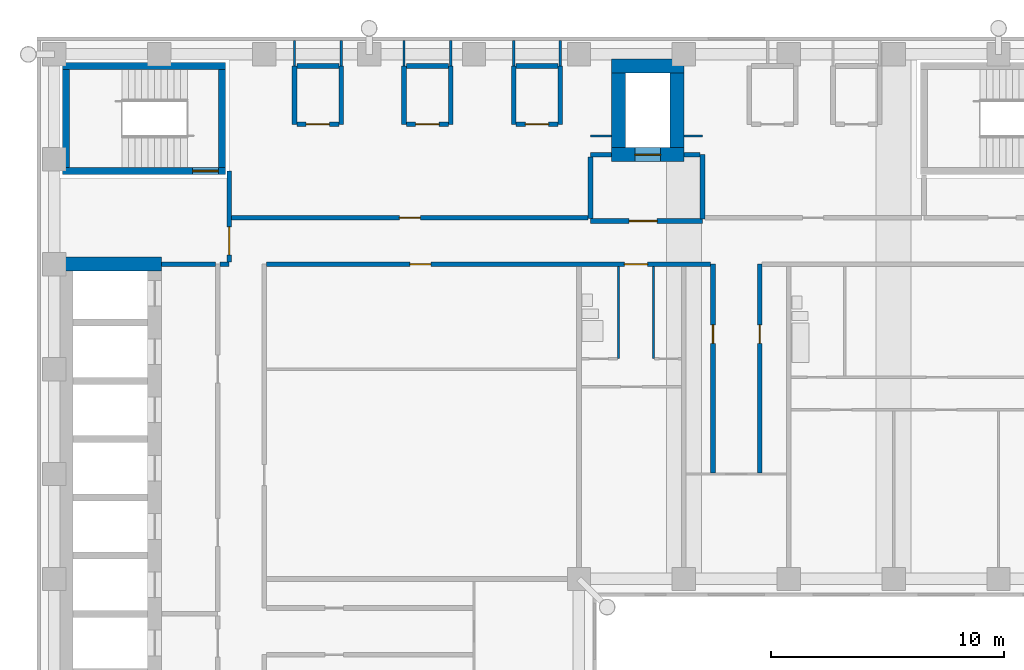
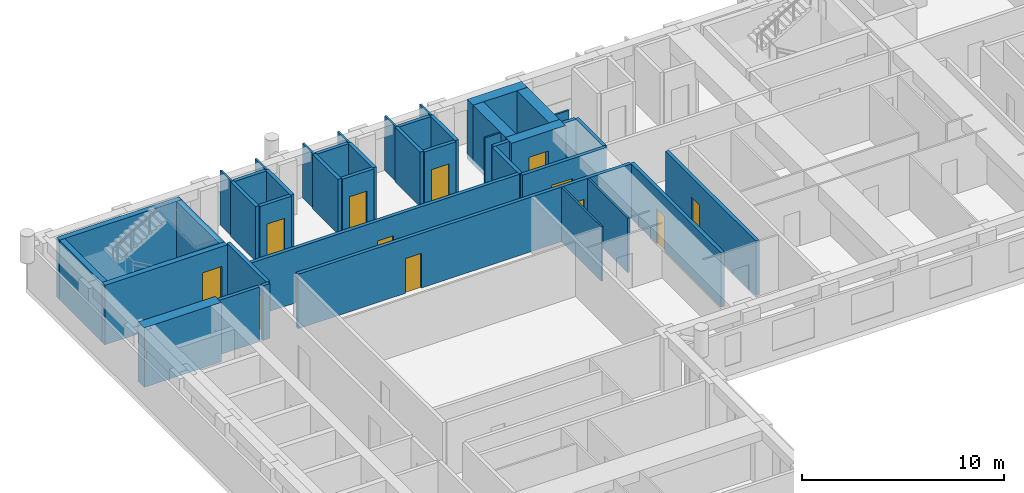
# One storey, part 8 of 15: 43 walls, 12 doors, 12 openings.
"""IFC4 building model written with IfcOpenShell, lengths in metres."""

from ifc_helpers import new_model, si_unit, direction, frame, frame_2d, origin, place, context, subcontext, project, spatial, rectangle, extrude, material, layer, layer_set, type_object, element, fill, save


model = new_model("IFC4")

# Units and contexts
model_context = context("Model", 3, precision=1e-05, world=origin(), true_north=direction((0.0, 1.0)))
body_context = subcontext(model_context, "Body", "Model", "MODEL_VIEW")
ifc_project = project(units=[si_unit("LENGTHUNIT", "METRE"), si_unit("AREAUNIT", "SQUARE_METRE"), si_unit("VOLUMEUNIT", "CUBIC_METRE"), si_unit("PLANEANGLEUNIT", "RADIAN"), si_unit("MASSUNIT", "GRAM", prefix="KILO")], contexts=[model_context])

# Site, building, storey
site_placement = place(None, origin())
site = spatial("IfcSite", under=ifc_project, at=site_placement, CompositionType="ELEMENT")
building_placement = place(site_placement, origin())
building = spatial("IfcBuilding", under=site, at=building_placement, Name="Firuza Court", CompositionType="ELEMENT")
storey_placement = place(building_placement, frame((0.0, 0.0, 137.60009765625)))
storey = spatial("IfcBuildingStorey", under=building, at=storey_placement, Name="L34", CompositionType="ELEMENT", Elevation=137.60009765625)

# Wall
ifc_material_1 = material(Name="Moisture-resistant gypsum board partition")
ifc_layer_1 = layer(ifc_material_1, 0.10009765625)
ifc_layer_set_1 = layer_set([ifc_layer_1], Name="Moisture-resistant gypsum board partition")
wall_type_1 = type_object("IfcWallType", Name="Bathroom partition 100", PredefinedType="PLUMBINGWALL", material=ifc_layer_set_1)
wall_1_placement = place(storey_placement, frame((24.199951171875, 45.449951171875, 0.0), z_axis=(0.0, 0.0, 1.0), x_axis=(0.0, 1.0, 0.0)))
element("IfcWall", 1, at=wall_1_placement, inside=storey, type_object=wall_type_1, Name="Bathroom partition 100 L34", PredefinedType="PLUMBINGWALL", context=body_context, shape_type="SweptSolid", body=[
    extrude(rectangle(XDim=3.949951171875, YDim=0.10009765625, at=frame_2d((1.97509765625, 0.0))), origin(), (0.0, 0.0, 1.0), 3.2998046875),
])

# Wall, opening, door
ifc_material_2 = material(Name="Concrete C60/75", Category="concrete")
ifc_layer_2 = layer(ifc_material_2, 0.300048828125)
ifc_layer_set_2 = layer_set([ifc_layer_2], Name="Concrete C60/75")
wall_type_2 = type_object("IfcWallType", Name="Core wall 300 C60/75", PredefinedType="SHEAR", material=ifc_layer_set_2)
wall_2_placement = place(storey_placement, frame((0.35009765625, 53.5, -0.300048828125), z_axis=(0.0, 0.0, 1.0), x_axis=(1.0, 0.0, 0.0)))
wall_2 = element("IfcWall", 2, at=wall_2_placement, inside=storey, type_object=wall_type_2, Name="Core wall stair L34", PredefinedType="SHEAR", context=body_context, shape_type="SweptSolid", body=[
    extrude(rectangle(XDim=7.0, YDim=0.300048828125, at=frame_2d((3.5, 0.0))), origin(), (0.0, 0.0, 1.0), 3.599853515625),
])
opening_1_placement = place(wall_2_placement, frame((5.580078125, 0.0, 0.300048828125)))
opening_1 = element("IfcOpeningElement", 3, at=opening_1_placement, cuts=wall_2, Name="Opening D34015", PredefinedType="OPENING", context=body_context, shape_type="SweptSolid", body=[
    extrude(rectangle(XDim=1.10009765625, YDim=2.10009765625, at=frame_2d((0.550048828125, 1.050048828125))), frame((0.0, 0.162109375, 0.0), z_axis=(0.0, -1.0, 0.0), x_axis=(1.0, 0.0, 0.0)), (0.0, 0.0, 1.0), 0.323974609375),
])
ifc_material_3 = material(Name="Timber door leaf in hardwood frame", Category="wood")
door_type_1 = type_object("IfcDoorType", Name="Stair door 1100", OperationType="SINGLE_SWING_LEFT", PredefinedType="DOOR", material=ifc_material_3)
door_1_placement = place(opening_1_placement, origin())
door_1 = element("IfcDoor", 4, at=door_1_placement, inside=storey, type_object=door_type_1, Name="Stair door S3", OperationType="SINGLE_SWING_RIGHT", OverallHeight=2.10009765625, OverallWidth=1.10009765625, PredefinedType="DOOR", context=body_context, shape_type="SweptSolid", body=[
    extrude(rectangle(XDim=1.10009765625, YDim=2.10009765625, at=frame_2d((0.550048828125, 1.050048828125))), frame((0.0, 0.02490234375, 0.0), z_axis=(0.0, -1.0, 0.0), x_axis=(1.0, 0.0, 0.0)), (0.0, 0.0, 1.0), 0.050048828125),
])
fill(opening_1, door_1)

# Walls
wall_3_placement = place(storey_placement, frame((0.35009765625, 58.0, -0.300048828125), z_axis=(0.0, 0.0, 1.0), x_axis=(1.0, 0.0, 0.0)))
element("IfcWall", 5, at=wall_3_placement, inside=storey, type_object=wall_type_2, Name="Core wall stair L34", PredefinedType="SHEAR", context=body_context, shape_type="SweptSolid", body=[
    extrude(rectangle(XDim=7.0, YDim=0.300048828125, at=frame_2d((3.5, 0.0))), origin(), (0.0, 0.0, 1.0), 3.599853515625),
])
for number, where, z_axis, x_axis, name in (
    (6, (0.5, 53.64990234375, -0.300048828125), (0.0, 0.0, 1.0), (0.0, 1.0, 0.0), "Core wall stair L34"),
    (7, (7.199951171875, 53.64990234375, -0.300048828125), (0.0, 0.0, 1.0), (0.0, 1.0, 0.0), "Core wall stair L34"),
):
    element("IfcWall", number, at=place(storey_placement, frame(where, z_axis=z_axis, x_axis=x_axis)), inside=storey, type_object=wall_type_2, Name=name, PredefinedType="SHEAR", context=body_context, shape_type="SweptSolid", body=[
        extrude(rectangle(XDim=4.2001953125, YDim=0.300048828125, at=frame_2d((2.10009765625, 0.0))), origin(), (0.0, 0.0, 1.0), 3.599853515625),
    ])
ifc_layer_3 = layer(ifc_material_2, 0.60009765625)
ifc_layer_set_3 = layer_set([ifc_layer_3], Name="Concrete C60/75")
wall_type_3 = type_object("IfcWallType", Name="Core wall 600 C60/75", PredefinedType="SHEAR", material=ifc_layer_set_3)
wall_4_placement = place(storey_placement, frame((0.199951171875, 49.5, -0.300048828125), z_axis=(0.0, 0.0, 1.0), x_axis=(1.0, 0.0, 0.0)))
element("IfcWall", 8, at=wall_4_placement, inside=storey, type_object=wall_type_3, Name="Core wall lift shaft L34", PredefinedType="SHEAR", context=body_context, shape_type="SweptSolid", body=[
    extrude(rectangle(XDim=4.400146484375, YDim=0.60009765625, at=frame_2d((2.2001953125, 0.0))), origin(), (0.0, 0.0, 1.0), 3.599853515625),
])

# Wall, opening, door
wall_5_placement = place(storey_placement, frame((23.89990234375, 54.199951171875, -0.300048828125), z_axis=(0.0, 0.0, 1.0), x_axis=(1.0, 0.0, 0.0)))
wall_5 = element("IfcWall", 9, at=wall_5_placement, inside=storey, type_object=wall_type_3, Name="Core wall lift shaft L34", PredefinedType="SHEAR", context=body_context, shape_type="SweptSolid", body=[
    extrude(rectangle(XDim=3.10009765625, YDim=0.60009765625, at=frame_2d((1.550048828125, 0.0))), origin(), (0.0, 0.0, 1.0), 3.599853515625),
])
opening_2_placement = place(wall_5_placement, frame((1.0, 0.0, 0.300048828125)))
opening_2 = element("IfcOpeningElement", 10, at=opening_2_placement, cuts=wall_5, Name="Opening LD-FL3-34", PredefinedType="OPENING", context=body_context, shape_type="SweptSolid", body=[
    extrude(rectangle(XDim=1.10009765625, YDim=2.10009765625, at=frame_2d((0.550048828125, 1.050048828125))), frame((0.0, 0.31201171875, 0.0), z_axis=(0.0, -1.0, 0.0), x_axis=(1.0, 0.0, 0.0)), (0.0, 0.0, 1.0), 0.6240234375),
])
ifc_material_4 = material(Name="Stainless steel 1.4301 door leaf", Category="steel")
door_type_2 = type_object("IfcDoorType", Name="Lift landing door 1100", OperationType="SLIDING_TO_LEFT", PredefinedType="DOOR", material=ifc_material_4)
door_2_placement = place(opening_2_placement, origin())
door_2 = element("IfcDoor", 11, at=door_2_placement, inside=storey, type_object=door_type_2, Name="Landing door FL3", OperationType="SLIDING_TO_LEFT", OverallHeight=2.10009765625, OverallWidth=1.10009765625, PredefinedType="DOOR", context=body_context, shape_type="SweptSolid", body=[
    extrude(rectangle(XDim=1.10009765625, YDim=2.10009765625, at=frame_2d((0.550048828125, 1.050048828125))), frame((0.0, 0.02490234375, 0.0), z_axis=(0.0, -1.0, 0.0), x_axis=(1.0, 0.0, 0.0)), (0.0, 0.0, 1.0), 0.050048828125),
])
fill(opening_2, door_2)

# Walls
wall_6_placement = place(storey_placement, frame((23.89990234375, 58.0, -0.300048828125), z_axis=(0.0, 0.0, 1.0), x_axis=(1.0, 0.0, 0.0)))
element("IfcWall", 12, at=wall_6_placement, inside=storey, type_object=wall_type_3, Name="Core wall lift shaft L34", PredefinedType="SHEAR", context=body_context, shape_type="SweptSolid", body=[
    extrude(rectangle(XDim=3.10009765625, YDim=0.60009765625, at=frame_2d((1.550048828125, 0.0))), origin(), (0.0, 0.0, 1.0), 3.599853515625),
])
for number, where, z_axis, x_axis, name in (
    (13, (24.199951171875, 54.5, -0.300048828125), (0.0, 0.0, 1.0), (0.0, 1.0, 0.0), "Core wall lift shaft L34"),
    (14, (26.699951171875, 54.5, -0.300048828125), (0.0, 0.0, 1.0), (0.0, 1.0, 0.0), "Core wall lift shaft L34"),
):
    element("IfcWall", number, at=place(storey_placement, frame(where, z_axis=z_axis, x_axis=x_axis)), inside=storey, type_object=wall_type_3, Name=name, PredefinedType="SHEAR", context=body_context, shape_type="SweptSolid", body=[
        extrude(rectangle(XDim=3.199951171875, YDim=0.60009765625, at=frame_2d((1.60009765625, 0.0))), origin(), (0.0, 0.0, 1.0), 3.599853515625),
    ])

# Wall, opening, door
ifc_material_5 = material(Name="Blockwork, plastered both sides", Category="masonry")
ifc_layer_4 = layer(ifc_material_5, 0.199951171875)
ifc_layer_set_4 = layer_set([ifc_layer_4], Name="Blockwork, plastered both sides")
wall_type_4 = type_object("IfcWallType", Name="Corridor wall 200", PredefinedType="PARTITIONING", material=ifc_layer_set_4)
wall_7_placement = place(storey_placement, frame((28.25, 40.550048828125, 0.0), z_axis=(0.0, 0.0, 1.0), x_axis=(0.0, 1.0, 0.0)))
wall_7 = element("IfcWall", 15, at=wall_7_placement, inside=storey, type_object=wall_type_4, Name="Corridor wall 200 L34", PredefinedType="PARTITIONING", context=body_context, shape_type="SweptSolid", body=[
    extrude(rectangle(XDim=8.949951171875, YDim=0.199951171875, at=frame_2d((4.47509765625, 0.0))), origin(), (0.0, 0.0, 1.0), 3.2998046875),
])
opening_3_placement = place(wall_7_placement, frame((5.550048828125, 0.0, 0.0)))
opening_3 = element("IfcOpeningElement", 16, at=opening_3_placement, cuts=wall_7, Name="Opening D34041", PredefinedType="OPENING", context=body_context, shape_type="SweptSolid", body=[
    extrude(rectangle(XDim=0.800048828125, YDim=2.10009765625, at=frame_2d((0.39990234375, 1.050048828125))), frame((0.0, 0.11181640625, 0.0), z_axis=(0.0, -1.0, 0.0), x_axis=(1.0, 0.0, 0.0)), (0.0, 0.0, 1.0), 0.223876953125),
])
ifc_material_6 = material(Name="Timber door leaf in hardwood frame", Category="wood")
door_type_3 = type_object("IfcDoorType", Name="Room door 800 EI 30", OperationType="SINGLE_SWING_LEFT", PredefinedType="DOOR", material=ifc_material_6)
door_3_placement = place(opening_3_placement, origin())
door_3 = element("IfcDoor", 17, at=door_3_placement, inside=storey, type_object=door_type_3, Name="Store door", OperationType="SINGLE_SWING_RIGHT", OverallHeight=2.10009765625, OverallWidth=0.800048828125, PredefinedType="DOOR", context=body_context, shape_type="SweptSolid", body=[
    extrude(rectangle(XDim=0.800048828125, YDim=2.10009765625, at=frame_2d((0.39990234375, 1.050048828125))), frame((0.0, 0.02490234375, 0.0), z_axis=(0.0, -1.0, 0.0), x_axis=(1.0, 0.0, 0.0)), (0.0, 0.0, 1.0), 0.050048828125),
])
fill(opening_3, door_3)

wall_8_placement = place(storey_placement, frame((30.25, 40.550048828125, 0.0), z_axis=(0.0, 0.0, 1.0), x_axis=(0.0, 1.0, 0.0)))
wall_8 = element("IfcWall", 18, at=wall_8_placement, inside=storey, type_object=wall_type_4, Name="Corridor wall 200 L34", PredefinedType="PARTITIONING", context=body_context, shape_type="SweptSolid", body=[
    extrude(rectangle(XDim=8.949951171875, YDim=0.199951171875, at=frame_2d((4.47509765625, 0.0))), origin(), (0.0, 0.0, 1.0), 3.2998046875),
])
opening_4_placement = place(wall_8_placement, frame((5.550048828125, 0.0, 0.0)))
opening_4 = element("IfcOpeningElement", 19, at=opening_4_placement, cuts=wall_8, Name="Opening D34042", PredefinedType="OPENING", context=body_context, shape_type="SweptSolid", body=[
    extrude(rectangle(XDim=0.800048828125, YDim=2.10009765625, at=frame_2d((0.39990234375, 1.050048828125))), frame((0.0, 0.11181640625, 0.0), z_axis=(0.0, -1.0, 0.0), x_axis=(1.0, 0.0, 0.0)), (0.0, 0.0, 1.0), 0.223876953125),
])
door_4_placement = place(opening_4_placement, frame((0.800048828125, 0.0, 0.0), z_axis=(0.0, 0.0, 1.0), x_axis=(-1.0, 0.0, 0.0)))
door_4 = element("IfcDoor", 20, at=door_4_placement, inside=storey, type_object=door_type_3, Name="Store door", OperationType="SINGLE_SWING_LEFT", OverallHeight=2.10009765625, OverallWidth=0.800048828125, PredefinedType="DOOR", context=body_context, shape_type="SweptSolid", body=[
    extrude(rectangle(XDim=0.800048828125, YDim=2.10009765625, at=frame_2d((0.39990234375, 1.050048828125))), frame((0.0, 0.02490234375, 0.0), z_axis=(0.0, -1.0, 0.0), x_axis=(1.0, 0.0, 0.0)), (0.0, 0.0, 1.0), 0.050048828125),
])
fill(opening_4, door_4)

# Wall, openings, doors
wall_9_placement = place(storey_placement, frame((9.10009765625, 49.5, 0.0), z_axis=(0.0, 0.0, 1.0), x_axis=(1.0, 0.0, 0.0)))
wall_9 = element("IfcWall", 21, at=wall_9_placement, inside=storey, type_object=wall_type_4, Name="Corridor wall 200 L34", PredefinedType="PARTITIONING", context=body_context, shape_type="SweptSolid", body=[
    extrude(rectangle(XDim=19.0498046875, YDim=0.199951171875, at=frame_2d((9.52490234375, 0.0))), origin(), (0.0, 0.0, 1.0), 3.2998046875),
])
opening_5_placement = place(wall_9_placement, frame((15.35009765625, 0.0, 0.0)))
opening_5 = element("IfcOpeningElement", 22, at=opening_5_placement, cuts=wall_9, Name="Opening D34063", PredefinedType="OPENING", context=body_context, shape_type="SweptSolid", body=[
    extrude(rectangle(XDim=1.0, YDim=2.10009765625, at=frame_2d((0.5, 1.050048828125))), frame((0.0, 0.11181640625, 0.0), z_axis=(0.0, -1.0, 0.0), x_axis=(1.0, 0.0, 0.0)), (0.0, 0.0, 1.0), 0.223876953125),
])
opening_6_placement = place(wall_9_placement, frame((6.14990234375, 0.0, 0.0)))
opening_6 = element("IfcOpeningElement", 23, at=opening_6_placement, cuts=wall_9, Name="Opening D34064", PredefinedType="OPENING", context=body_context, shape_type="SweptSolid", body=[
    extrude(rectangle(XDim=0.89990234375, YDim=2.10009765625, at=frame_2d((0.449951171875, 1.050048828125))), frame((0.0, 0.11181640625, 0.0), z_axis=(0.0, -1.0, 0.0), x_axis=(1.0, 0.0, 0.0)), (0.0, 0.0, 1.0), 0.223876953125),
])
ifc_material_7 = material(Name="Timber door leaf in hardwood frame", Category="wood")
door_type_4 = type_object("IfcDoorType", Name="Flat entrance door 1000", OperationType="SINGLE_SWING_LEFT", PredefinedType="DOOR", material=ifc_material_7)
door_5_placement = place(opening_5_placement, origin())
door_5 = element("IfcDoor", 24, at=door_5_placement, inside=storey, type_object=door_type_4, Name="Flat entrance door", OperationType="SINGLE_SWING_LEFT", OverallHeight=2.10009765625, OverallWidth=1.0, PredefinedType="DOOR", context=body_context, shape_type="SweptSolid", body=[
    extrude(rectangle(XDim=1.0, YDim=2.10009765625, at=frame_2d((0.5, 1.050048828125))), frame((0.0, 0.02490234375, 0.0), z_axis=(0.0, -1.0, 0.0), x_axis=(1.0, 0.0, 0.0)), (0.0, 0.0, 1.0), 0.050048828125),
])
fill(opening_5, door_5)
ifc_material_8 = material(Name="Timber door leaf in hardwood frame", Category="wood")
door_type_5 = type_object("IfcDoorType", Name="Room door 900 EI 30", OperationType="SINGLE_SWING_LEFT", PredefinedType="DOOR", material=ifc_material_8)
door_6_placement = place(opening_6_placement, origin())
door_6 = element("IfcDoor", 25, at=door_6_placement, inside=storey, type_object=door_type_5, Name="Cinema room door", OperationType="SINGLE_SWING_LEFT", OverallHeight=2.10009765625, OverallWidth=0.89990234375, PredefinedType="DOOR", context=body_context, shape_type="SweptSolid", body=[
    extrude(rectangle(XDim=0.89990234375, YDim=2.10009765625, at=frame_2d((0.449951171875, 1.050048828125))), frame((0.0, 0.02490234375, 0.0), z_axis=(0.0, -1.0, 0.0), x_axis=(1.0, 0.0, 0.0)), (0.0, 0.0, 1.0), 0.050048828125),
])
fill(opening_6, door_6)

# Wall, opening, door
wall_10_placement = place(storey_placement, frame((7.60009765625, 51.5, 0.0), z_axis=(0.0, 0.0, 1.0), x_axis=(1.0, 0.0, 0.0)))
wall_10 = element("IfcWall", 26, at=wall_10_placement, inside=storey, type_object=wall_type_4, Name="Corridor wall 200 L34", PredefinedType="PARTITIONING", context=body_context, shape_type="SweptSolid", body=[
    extrude(rectangle(XDim=15.2998046875, YDim=0.199951171875, at=frame_2d((7.64990234375, 0.0))), origin(), (0.0, 0.0, 1.0), 3.2998046875),
])
opening_7_placement = place(wall_10_placement, frame((7.199951171875, 0.0, 0.0)))
opening_7 = element("IfcOpeningElement", 27, at=opening_7_placement, cuts=wall_10, Name="Opening D34067", PredefinedType="OPENING", context=body_context, shape_type="SweptSolid", body=[
    extrude(rectangle(XDim=0.89990234375, YDim=2.10009765625, at=frame_2d((0.449951171875, 1.050048828125))), frame((0.0, 0.11181640625, 0.0), z_axis=(0.0, -1.0, 0.0), x_axis=(1.0, 0.0, 0.0)), (0.0, 0.0, 1.0), 0.223876953125),
])
door_7_placement = place(opening_7_placement, origin())
door_7 = element("IfcDoor", 28, at=door_7_placement, inside=storey, type_object=door_type_5, Name="Residents' workroom door", OperationType="SINGLE_SWING_LEFT", OverallHeight=2.10009765625, OverallWidth=0.89990234375, PredefinedType="DOOR", context=body_context, shape_type="SweptSolid", body=[
    extrude(rectangle(XDim=0.89990234375, YDim=2.10009765625, at=frame_2d((0.449951171875, 1.050048828125))), frame((0.0, 0.02490234375, 0.0), z_axis=(0.0, -1.0, 0.0), x_axis=(1.0, 0.0, 0.0)), (0.0, 0.0, 1.0), 0.050048828125),
])
fill(opening_7, door_7)

# Walls
ifc_material_9 = material(Name="Timber stud partition, plasterboard both sides", Category="wood")
ifc_layer_5 = layer(ifc_material_9, 0.10009765625)
ifc_layer_set_5 = layer_set([ifc_layer_5], Name="Timber stud partition, plasterboard both sides")
wall_type_5 = type_object("IfcWallType", Name="Partition wall 100", PredefinedType="PARTITIONING", material=ifc_layer_set_5)
wall_11_placement = place(storey_placement, frame((25.699951171875, 45.449951171875, 0.0), z_axis=(0.0, 0.0, 1.0), x_axis=(0.0, 1.0, 0.0)))
element("IfcWall", 29, at=wall_11_placement, inside=storey, type_object=wall_type_5, Name="Partition wall 100 L34", PredefinedType="PARTITIONING", context=body_context, shape_type="SweptSolid", body=[
    extrude(rectangle(XDim=3.949951171875, YDim=0.10009765625, at=frame_2d((1.97509765625, 0.0))), origin(), (0.0, 0.0, 1.0), 3.2998046875),
])
wall_12_placement = place(storey_placement, frame((23.0, 55.0, 0.0), z_axis=(0.0, 0.0, 1.0), x_axis=(1.0, 0.0, 0.0)))
element("IfcWall", 30, at=wall_12_placement, inside=storey, type_object=wall_type_5, Name="Partition wall 100 L34", PredefinedType="PARTITIONING", context=body_context, shape_type="SweptSolid", body=[
    extrude(rectangle(XDim=0.89990234375, YDim=0.10009765625, at=frame_2d((0.449951171875, 0.0))), origin(), (0.0, 0.0, 1.0), 3.2998046875),
])
wall_13_placement = place(storey_placement, frame((27.0, 55.0, 0.0), z_axis=(0.0, 0.0, 1.0), x_axis=(1.0, 0.0, 0.0)))
element("IfcWall", 31, at=wall_13_placement, inside=storey, type_object=wall_type_5, Name="Partition wall 100 L34", PredefinedType="PARTITIONING", context=body_context, shape_type="SweptSolid", body=[
    extrude(rectangle(XDim=0.800048828125, YDim=0.10009765625, at=frame_2d((0.39990234375, 0.0))), origin(), (0.0, 0.0, 1.0), 3.2998046875),
])
for number, where, z_axis, x_axis, name in (
    (32, (10.300048828125, 58.0, 0.0), (0.0, 0.0, 1.0), (0.0, 1.0, 0.0), "Partition wall 100 L34"),
    (33, (12.300048828125, 58.0, 0.0), (0.0, 0.0, 1.0), (0.0, 1.0, 0.0), "Partition wall 100 L34"),
    (34, (15.0, 58.0, 0.0), (0.0, 0.0, 1.0), (0.0, 1.0, 0.0), "Partition wall 100 L34"),
    (35, (17.0, 58.0, 0.0), (0.0, 0.0, 1.0), (0.0, 1.0, 0.0), "Partition wall 100 L34"),
    (36, (19.699951171875, 58.0, 0.0), (0.0, 0.0, 1.0), (0.0, 1.0, 0.0), "Partition wall 100 L34"),
    (37, (21.699951171875, 58.0, 0.0), (0.0, 0.0, 1.0), (0.0, 1.0, 0.0), "Partition wall 100 L34"),
):
    element("IfcWall", number, at=place(storey_placement, frame(where, z_axis=z_axis, x_axis=x_axis)), inside=storey, type_object=wall_type_5, Name=name, PredefinedType="PARTITIONING", context=body_context, shape_type="SweptSolid", body=[
        extrude(rectangle(XDim=1.10009765625, YDim=0.10009765625, at=frame_2d((0.550048828125, 0.0))), origin(), (0.0, 0.0, 1.0), 3.2998046875),
    ])
ifc_material_10 = material(Name="Blockwork, fire-rated", Category="masonry")
ifc_layer_6 = layer(ifc_material_10, 0.199951171875)
ifc_layer_set_6 = layer_set([ifc_layer_6], Name="Blockwork, fire-rated")
wall_type_6 = type_object("IfcWallType", Name="Plant room wall 200", PredefinedType="PARTITIONING", material=ifc_layer_set_6)
wall_14_placement = place(storey_placement, frame((10.300048828125, 55.5, 0.0), z_axis=(0.0, 0.0, 1.0), x_axis=(0.0, 1.0, 0.0)))
element("IfcWall", 38, at=wall_14_placement, inside=storey, type_object=wall_type_6, Name="Plant room wall 200 L34", PredefinedType="PARTITIONING", context=body_context, shape_type="SweptSolid", body=[
    extrude(rectangle(XDim=2.5, YDim=0.199951171875, at=frame_2d((1.25, 0.0))), origin(), (0.0, 0.0, 1.0), 3.2998046875),
])

# Wall, opening, door
wall_15_placement = place(storey_placement, frame((10.39990234375, 55.5, 0.0), z_axis=(0.0, 0.0, 1.0), x_axis=(1.0, 0.0, 0.0)))
wall_15 = element("IfcWall", 39, at=wall_15_placement, inside=storey, type_object=wall_type_6, Name="Plant room wall 200 L34", PredefinedType="PARTITIONING", context=body_context, shape_type="SweptSolid", body=[
    extrude(rectangle(XDim=1.800048828125, YDim=0.199951171875, at=frame_2d((0.89990234375, 0.0))), origin(), (0.0, 0.0, 1.0), 3.2998046875),
])
opening_8_placement = place(wall_15_placement, frame((0.39990234375, 0.0, 0.0)))
opening_8 = element("IfcOpeningElement", 40, at=opening_8_placement, cuts=wall_15, Name="Opening D34072", PredefinedType="OPENING", context=body_context, shape_type="SweptSolid", body=[
    extrude(rectangle(XDim=1.0, YDim=2.10009765625, at=frame_2d((0.5, 1.050048828125))), frame((0.0, 0.11181640625, 0.0), z_axis=(0.0, -1.0, 0.0), x_axis=(1.0, 0.0, 0.0)), (0.0, 0.0, 1.0), 0.223876953125),
])
ifc_material_11 = material(Name="Timber door leaf in hardwood frame", Category="wood")
door_type_6 = type_object("IfcDoorType", Name="Riser door 1000", OperationType="SINGLE_SWING_LEFT", PredefinedType="DOOR", material=ifc_material_11)
door_8_placement = place(opening_8_placement, origin())
door_8 = element("IfcDoor", 41, at=door_8_placement, inside=storey, type_object=door_type_6, Name="Comms riser door", OperationType="SINGLE_SWING_LEFT", OverallHeight=2.10009765625, OverallWidth=1.0, PredefinedType="DOOR", context=body_context, shape_type="SweptSolid", body=[
    extrude(rectangle(XDim=1.0, YDim=2.10009765625, at=frame_2d((0.5, 1.050048828125))), frame((0.0, 0.02490234375, 0.0), z_axis=(0.0, -1.0, 0.0), x_axis=(1.0, 0.0, 0.0)), (0.0, 0.0, 1.0), 0.050048828125),
])
fill(opening_8, door_8)

# Walls
for number, where, z_axis, x_axis, name in (
    (42, (12.300048828125, 55.5, 0.0), (0.0, 0.0, 1.0), (0.0, 1.0, 0.0), "Plant room wall 200 L34"),
    (43, (15.0, 55.5, 0.0), (0.0, 0.0, 1.0), (0.0, 1.0, 0.0), "Plant room wall 200 L34"),
):
    element("IfcWall", number, at=place(storey_placement, frame(where, z_axis=z_axis, x_axis=x_axis)), inside=storey, type_object=wall_type_6, Name=name, PredefinedType="PARTITIONING", context=body_context, shape_type="SweptSolid", body=[
        extrude(rectangle(XDim=2.5, YDim=0.199951171875, at=frame_2d((1.25, 0.0))), origin(), (0.0, 0.0, 1.0), 3.2998046875),
    ])

# Wall, opening, door
wall_16_placement = place(storey_placement, frame((15.10009765625, 55.5, 0.0), z_axis=(0.0, 0.0, 1.0), x_axis=(1.0, 0.0, 0.0)))
wall_16 = element("IfcWall", 44, at=wall_16_placement, inside=storey, type_object=wall_type_6, Name="Plant room wall 200 L34", PredefinedType="PARTITIONING", context=body_context, shape_type="SweptSolid", body=[
    extrude(rectangle(XDim=1.7998046875, YDim=0.199951171875, at=frame_2d((0.89990234375, 0.0))), origin(), (0.0, 0.0, 1.0), 3.2998046875),
])
opening_9_placement = place(wall_16_placement, frame((0.39990234375, 0.0, 0.0)))
opening_9 = element("IfcOpeningElement", 45, at=opening_9_placement, cuts=wall_16, Name="Opening D34073", PredefinedType="OPENING", context=body_context, shape_type="SweptSolid", body=[
    extrude(rectangle(XDim=1.0, YDim=2.10009765625, at=frame_2d((0.5, 1.050048828125))), frame((0.0, 0.11181640625, 0.0), z_axis=(0.0, -1.0, 0.0), x_axis=(1.0, 0.0, 0.0)), (0.0, 0.0, 1.0), 0.223876953125),
])
door_9_placement = place(opening_9_placement, origin())
door_9 = element("IfcDoor", 46, at=door_9_placement, inside=storey, type_object=door_type_6, Name="Electrical riser door", OperationType="SINGLE_SWING_LEFT", OverallHeight=2.10009765625, OverallWidth=1.0, PredefinedType="DOOR", context=body_context, shape_type="SweptSolid", body=[
    extrude(rectangle(XDim=1.0, YDim=2.10009765625, at=frame_2d((0.5, 1.050048828125))), frame((0.0, 0.02490234375, 0.0), z_axis=(0.0, -1.0, 0.0), x_axis=(1.0, 0.0, 0.0)), (0.0, 0.0, 1.0), 0.050048828125),
])
fill(opening_9, door_9)

# Walls
for number, where, z_axis, x_axis, name in (
    (47, (17.0, 55.5, 0.0), (0.0, 0.0, 1.0), (0.0, 1.0, 0.0), "Plant room wall 200 L34"),
    (48, (19.699951171875, 55.5, 0.0), (0.0, 0.0, 1.0), (0.0, 1.0, 0.0), "Plant room wall 200 L34"),
):
    element("IfcWall", number, at=place(storey_placement, frame(where, z_axis=z_axis, x_axis=x_axis)), inside=storey, type_object=wall_type_6, Name=name, PredefinedType="PARTITIONING", context=body_context, shape_type="SweptSolid", body=[
        extrude(rectangle(XDim=2.5, YDim=0.199951171875, at=frame_2d((1.25, 0.0))), origin(), (0.0, 0.0, 1.0), 3.2998046875),
    ])

# Wall, opening, door
wall_17_placement = place(storey_placement, frame((19.800048828125, 55.5, 0.0), z_axis=(0.0, 0.0, 1.0), x_axis=(1.0, 0.0, 0.0)))
wall_17 = element("IfcWall", 49, at=wall_17_placement, inside=storey, type_object=wall_type_6, Name="Plant room wall 200 L34", PredefinedType="PARTITIONING", context=body_context, shape_type="SweptSolid", body=[
    extrude(rectangle(XDim=1.800048828125, YDim=0.199951171875, at=frame_2d((0.89990234375, 0.0))), origin(), (0.0, 0.0, 1.0), 3.2998046875),
])
opening_10_placement = place(wall_17_placement, frame((0.39990234375, 0.0, 0.0)))
opening_10 = element("IfcOpeningElement", 50, at=opening_10_placement, cuts=wall_17, Name="Opening D34074", PredefinedType="OPENING", context=body_context, shape_type="SweptSolid", body=[
    extrude(rectangle(XDim=1.0, YDim=2.10009765625, at=frame_2d((0.5, 1.050048828125))), frame((0.0, 0.11181640625, 0.0), z_axis=(0.0, -1.0, 0.0), x_axis=(1.0, 0.0, 0.0)), (0.0, 0.0, 1.0), 0.223876953125),
])
door_10_placement = place(opening_10_placement, origin())
door_10 = element("IfcDoor", 51, at=door_10_placement, inside=storey, type_object=door_type_6, Name="Duct riser door", OperationType="SINGLE_SWING_LEFT", OverallHeight=2.10009765625, OverallWidth=1.0, PredefinedType="DOOR", context=body_context, shape_type="SweptSolid", body=[
    extrude(rectangle(XDim=1.0, YDim=2.10009765625, at=frame_2d((0.5, 1.050048828125))), frame((0.0, 0.02490234375, 0.0), z_axis=(0.0, -1.0, 0.0), x_axis=(1.0, 0.0, 0.0)), (0.0, 0.0, 1.0), 0.050048828125),
])
fill(opening_10, door_10)

# Walls
wall_18_placement = place(storey_placement, frame((21.699951171875, 55.5, 0.0), z_axis=(0.0, 0.0, 1.0), x_axis=(0.0, 1.0, 0.0)))
element("IfcWall", 52, at=wall_18_placement, inside=storey, type_object=wall_type_6, Name="Plant room wall 200 L34", PredefinedType="PARTITIONING", context=body_context, shape_type="SweptSolid", body=[
    extrude(rectangle(XDim=2.5, YDim=0.199951171875, at=frame_2d((1.25, 0.0))), origin(), (0.0, 0.0, 1.0), 3.2998046875),
])
wall_19_placement = place(storey_placement, frame((10.39990234375, 58.0, 0.0), z_axis=(0.0, 0.0, 1.0), x_axis=(1.0, 0.0, 0.0)))
element("IfcWall", 53, at=wall_19_placement, inside=storey, type_object=wall_type_6, Name="Plant room wall 200 L34", PredefinedType="PARTITIONING", context=body_context, shape_type="SweptSolid", body=[
    extrude(rectangle(XDim=1.800048828125, YDim=0.199951171875, at=frame_2d((0.89990234375, 0.0))), origin(), (0.0, 0.0, 1.0), 3.2998046875),
])
wall_20_placement = place(storey_placement, frame((15.10009765625, 58.0, 0.0), z_axis=(0.0, 0.0, 1.0), x_axis=(1.0, 0.0, 0.0)))
element("IfcWall", 54, at=wall_20_placement, inside=storey, type_object=wall_type_6, Name="Plant room wall 200 L34", PredefinedType="PARTITIONING", context=body_context, shape_type="SweptSolid", body=[
    extrude(rectangle(XDim=1.7998046875, YDim=0.199951171875, at=frame_2d((0.89990234375, 0.0))), origin(), (0.0, 0.0, 1.0), 3.2998046875),
])
wall_21_placement = place(storey_placement, frame((19.800048828125, 58.0, 0.0), z_axis=(0.0, 0.0, 1.0), x_axis=(1.0, 0.0, 0.0)))
element("IfcWall", 55, at=wall_21_placement, inside=storey, type_object=wall_type_6, Name="Plant room wall 200 L34", PredefinedType="PARTITIONING", context=body_context, shape_type="SweptSolid", body=[
    extrude(rectangle(XDim=1.800048828125, YDim=0.199951171875, at=frame_2d((0.89990234375, 0.0))), origin(), (0.0, 0.0, 1.0), 3.2998046875),
])
ifc_layer_7 = layer(ifc_material_10, 0.199951171875)
ifc_layer_set_7 = layer_set([ifc_layer_7], Name="Blockwork, fire-rated")
wall_type_7 = type_object("IfcWallType", Name="Shaft wall 200", PredefinedType="PARTITIONING", material=ifc_layer_set_7)
wall_22_placement = place(storey_placement, frame((4.60009765625, 49.5, 0.0), z_axis=(0.0, 0.0, 1.0), x_axis=(1.0, 0.0, 0.0)))
element("IfcWall", 56, at=wall_22_placement, inside=storey, type_object=wall_type_7, Name="Shaft wall 200 L34", PredefinedType="PARTITIONING", context=body_context, shape_type="SweptSolid", body=[
    extrude(rectangle(XDim=2.2998046875, YDim=0.199951171875, at=frame_2d((1.14990234375, 0.0))), origin(), (0.0, 0.0, 1.0), 3.2998046875),
])

# Wall, opening, door
wall_23_placement = place(storey_placement, frame((23.0, 51.35009765625, 0.0), z_axis=(0.0, 0.0, 1.0), x_axis=(1.0, 0.0, 0.0)))
wall_23 = element("IfcWall", 57, at=wall_23_placement, inside=storey, type_object=wall_type_7, Name="Shaft wall 200 L34", PredefinedType="PARTITIONING", context=body_context, shape_type="SweptSolid", body=[
    extrude(rectangle(XDim=4.800048828125, YDim=0.199951171875, at=frame_2d((2.39990234375, 0.0))), origin(), (0.0, 0.0, 1.0), 3.2998046875),
])
opening_11_placement = place(wall_23_placement, frame((1.64990234375, 0.0, 0.0)))
opening_11 = element("IfcOpeningElement", 58, at=opening_11_placement, cuts=wall_23, Name="Opening D34003", PredefinedType="OPENING", context=body_context, shape_type="SweptSolid", body=[
    extrude(rectangle(XDim=1.199951171875, YDim=2.10009765625, at=frame_2d((0.60009765625, 1.050048828125))), frame((0.0, 0.11181640625, 0.0), z_axis=(0.0, -1.0, 0.0), x_axis=(1.0, 0.0, 0.0)), (0.0, 0.0, 1.0), 0.223876953125),
])
ifc_material_12 = material(Name="Timber door leaf in hardwood frame", Category="wood")
door_type_7 = type_object("IfcDoorType", Name="Lobby door 1200", OperationType="SINGLE_SWING_LEFT", PredefinedType="DOOR", material=ifc_material_12)
door_11_placement = place(opening_11_placement, origin())
door_11 = element("IfcDoor", 59, at=door_11_placement, inside=storey, type_object=door_type_7, Name="Fire-fighting lobby door", OperationType="SINGLE_SWING_LEFT", OverallHeight=2.10009765625, OverallWidth=1.199951171875, PredefinedType="DOOR", context=body_context, shape_type="SweptSolid", body=[
    extrude(rectangle(XDim=1.199951171875, YDim=2.10009765625, at=frame_2d((0.60009765625, 1.050048828125))), frame((0.0, 0.02490234375, 0.0), z_axis=(0.0, -1.0, 0.0), x_axis=(1.0, 0.0, 0.0)), (0.0, 0.0, 1.0), 0.050048828125),
])
fill(opening_11, door_11)

# Walls
wall_24_placement = place(storey_placement, frame((27.800048828125, 51.449951171875, 0.0), z_axis=(0.0, 0.0, 1.0), x_axis=(0.0, 1.0, 0.0)))
element("IfcWall", 60, at=wall_24_placement, inside=storey, type_object=wall_type_7, Name="Shaft wall 200 L34", PredefinedType="PARTITIONING", context=body_context, shape_type="SweptSolid", body=[
    extrude(rectangle(XDim=2.75, YDim=0.199951171875, at=frame_2d((1.375, 0.0))), origin(), (0.0, 0.0, 1.0), 3.2998046875),
])
wall_25_placement = place(storey_placement, frame((23.0, 54.199951171875, 0.0), z_axis=(0.0, 0.0, 1.0), x_axis=(1.0, 0.0, 0.0)))
element("IfcWall", 61, at=wall_25_placement, inside=storey, type_object=wall_type_7, Name="Shaft wall 200 L34", PredefinedType="PARTITIONING", context=body_context, shape_type="SweptSolid", body=[
    extrude(rectangle(XDim=0.89990234375, YDim=0.199951171875, at=frame_2d((0.449951171875, 0.0))), origin(), (0.0, 0.0, 1.0), 3.2998046875),
])
wall_26_placement = place(storey_placement, frame((27.0, 54.199951171875, 0.0), z_axis=(0.0, 0.0, 1.0), x_axis=(1.0, 0.0, 0.0)))
element("IfcWall", 62, at=wall_26_placement, inside=storey, type_object=wall_type_7, Name="Shaft wall 200 L34", PredefinedType="PARTITIONING", context=body_context, shape_type="SweptSolid", body=[
    extrude(rectangle(XDim=0.699951171875, YDim=0.199951171875, at=frame_2d((0.35009765625, 0.0))), origin(), (0.0, 0.0, 1.0), 3.2998046875),
])
wall_27_placement = place(storey_placement, frame((23.0, 51.449951171875, 0.0), z_axis=(0.0, 0.0, 1.0), x_axis=(0.0, 1.0, 0.0)))
element("IfcWall", 63, at=wall_27_placement, inside=storey, type_object=wall_type_7, Name="Shaft wall 200 L34", PredefinedType="PARTITIONING", context=body_context, shape_type="SweptSolid", body=[
    extrude(rectangle(XDim=2.650146484375, YDim=0.199951171875, at=frame_2d((1.3251953125, 0.0))), origin(), (0.0, 0.0, 1.0), 3.2998046875),
])
wall_28_placement = place(storey_placement, frame((7.10009765625, 49.5, 0.0), z_axis=(0.0, 0.0, 1.0), x_axis=(1.0, 0.0, 0.0)))
element("IfcWall", 64, at=wall_28_placement, inside=storey, type_object=wall_type_7, Name="Shaft wall 200 L34", PredefinedType="PARTITIONING", context=body_context, shape_type="SweptSolid", body=[
    extrude(rectangle(XDim=0.39990234375, YDim=0.199951171875, at=frame_2d((0.199951171875, 0.0))), origin(), (0.0, 0.0, 1.0), 3.2998046875),
])

# Wall, opening, door
wall_29_placement = place(storey_placement, frame((7.5, 49.60009765625, 0.0), z_axis=(0.0, 0.0, 1.0), x_axis=(0.0, 1.0, 0.0)))
wall_29 = element("IfcWall", 65, at=wall_29_placement, inside=storey, type_object=wall_type_7, Name="Shaft wall 200 L34", PredefinedType="PARTITIONING", context=body_context, shape_type="SweptSolid", body=[
    extrude(rectangle(XDim=3.89990234375, YDim=0.199951171875, at=frame_2d((1.949951171875, 0.0))), origin(), (0.0, 0.0, 1.0), 3.2998046875),
])
opening_12_placement = place(wall_29_placement, frame((0.300048828125, 0.0, 0.0)))
opening_12 = element("IfcOpeningElement", 66, at=opening_12_placement, cuts=wall_29, Name="Opening D34001", PredefinedType="OPENING", context=body_context, shape_type="SweptSolid", body=[
    extrude(rectangle(XDim=1.199951171875, YDim=2.10009765625, at=frame_2d((0.60009765625, 1.050048828125))), frame((0.0, 0.11181640625, 0.0), z_axis=(0.0, -1.0, 0.0), x_axis=(1.0, 0.0, 0.0)), (0.0, 0.0, 1.0), 0.223876953125),
])
door_12_placement = place(opening_12_placement, origin())
door_12 = element("IfcDoor", 67, at=door_12_placement, inside=storey, type_object=door_type_7, Name="Lobby door", OperationType="SINGLE_SWING_LEFT", OverallHeight=2.10009765625, OverallWidth=1.199951171875, PredefinedType="DOOR", context=body_context, shape_type="SweptSolid", body=[
    extrude(rectangle(XDim=1.199951171875, YDim=2.10009765625, at=frame_2d((0.60009765625, 1.050048828125))), frame((0.0, 0.02490234375, 0.0), z_axis=(0.0, -1.0, 0.0), x_axis=(1.0, 0.0, 0.0)), (0.0, 0.0, 1.0), 0.050048828125),
])
fill(opening_12, door_12)

save(model, "model.ifc")
